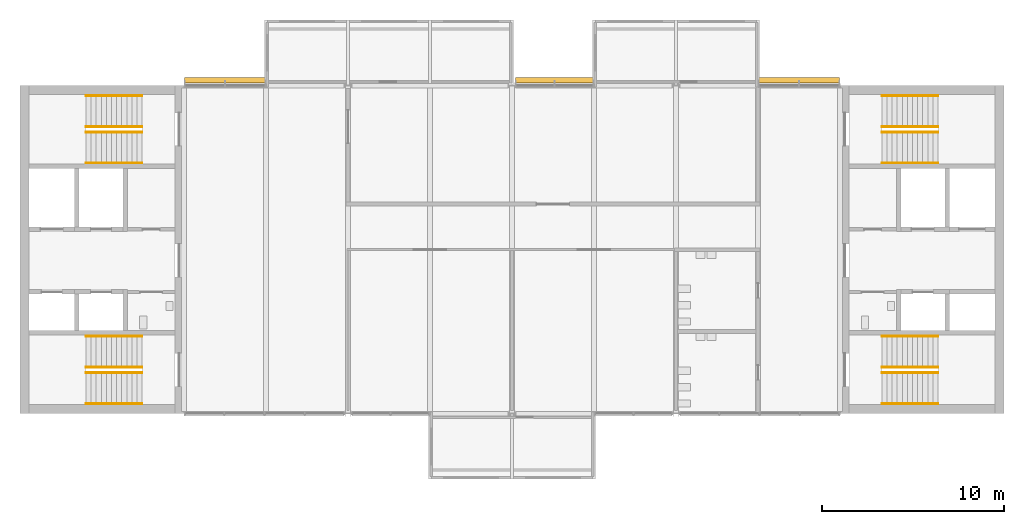
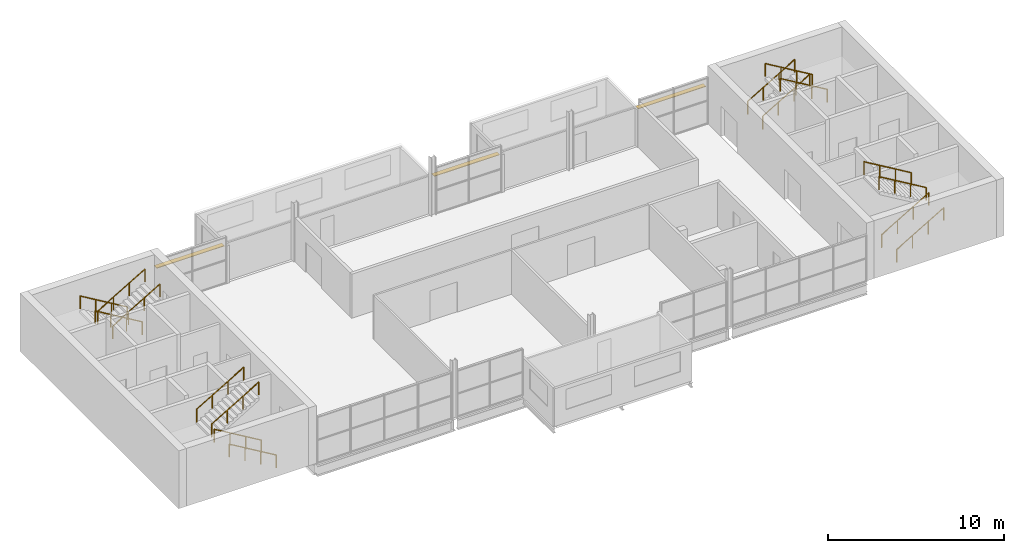
# One storey, part 9 of 10: 16 railings, 3 shading devices.
"""IFC4 building model written with IfcOpenShell, lengths in metres."""

from ifc_helpers import new_model, si_unit, direction, frame, origin, origin_2d, place, context, subcontext, project, spatial, rectangle, circle, extrude, material, layer, layer_set, type_object, element, save


model = new_model("IFC4")

# Units and contexts
model_context = context("Model", 3, precision=1e-05, world=origin(), true_north=direction((0.0, 1.0)))
body_context = subcontext(model_context, "Body", "Model", "MODEL_VIEW")
ifc_project = project(units=[si_unit("LENGTHUNIT", "METRE"), si_unit("AREAUNIT", "SQUARE_METRE"), si_unit("VOLUMEUNIT", "CUBIC_METRE"), si_unit("PLANEANGLEUNIT", "RADIAN"), si_unit("MASSUNIT", "GRAM", prefix="KILO")], contexts=[model_context])

# Site, building, storey
site_placement = place(None, origin())
site = spatial("IfcSite", under=ifc_project, at=site_placement, CompositionType="ELEMENT")
building_placement = place(site_placement, origin())
building = spatial("IfcBuilding", under=site, at=building_placement, Name="Corbel Yard City Hall", CompositionType="ELEMENT")
storey_placement = place(building_placement, frame((0.0, 0.0, 51.199951171875)))
storey = spatial("IfcBuildingStorey", under=building, at=storey_placement, Name="L12", CompositionType="ELEMENT", Elevation=51.199951171875)

# Railings
ifc_material_1 = material(Name="Stainless steel Grade 316", Category="steel")
railing_type = type_object("IfcRailingType", Name="HR1", PredefinedType="HANDRAIL", material=ifc_material_1)
for number, where, name in (
    (1, (6.699951171875, 99.550048828125, 0.166748046875), "Exit stair ST-W1 handrail"),
    (2, (6.699951171875, 101.25, 0.166748046875), "Exit stair ST-W1 handrail"),
):
    element("IfcRailing", number, at=place(storey_placement, frame(where)), inside=storey, type_object=railing_type, Name=name, PredefinedType="HANDRAIL", context=body_context, shape_type="SweptSolid", body=[
        extrude(circle(Radius=0.02392578125, at=origin_2d()), frame((0.0, 0.0, 0.8759765625), z_axis=(-0.859290745958, 0.0, 0.51148745235), x_axis=(0.0, -1.0, 0.0)), (0.0, 0.0, 1.0), 3.584228515625),
        extrude(circle(Radius=0.02099609375, at=origin_2d()), origin(), (0.0, 0.0, 1.0), 0.851806640625),
        extrude(circle(Radius=0.02099609375, at=origin_2d()), frame((-1.026611328125, 0.0, 0.611083984375)), (0.0, 0.0, 1.0), 0.851806640625),
        extrude(circle(Radius=0.02099609375, at=origin_2d()), frame((-2.05322265625, 0.0, 1.22216796875)), (0.0, 0.0, 1.0), 0.851806640625),
        extrude(circle(Radius=0.02099609375, at=origin_2d()), frame((-3.079833984375, 0.0, 1.833251953125)), (0.0, 0.0, 1.0), 0.851806640625),
    ])
for number, where, name in (
    (3, (3.6201171875, 101.550048828125, 2.166748046875), "Exit stair ST-W1 handrail"),
    (4, (3.6201171875, 103.25, 2.166748046875), "Exit stair ST-W1 handrail"),
):
    element("IfcRailing", number, at=place(storey_placement, frame(where)), inside=storey, type_object=railing_type, Name=name, PredefinedType="HANDRAIL", context=body_context, shape_type="SweptSolid", body=[
        extrude(circle(Radius=0.02392578125, at=origin_2d()), frame((0.0, 0.0, 0.8759765625), z_axis=(0.859290745958, 0.0, 0.51148745235), x_axis=(0.0, 1.0, 0.0)), (0.0, 0.0, 1.0), 3.584228515625),
        extrude(circle(Radius=0.02099609375, at=origin_2d()), origin(), (0.0, 0.0, 1.0), 0.851806640625),
        extrude(circle(Radius=0.02099609375, at=origin_2d()), frame((1.026611328125, 0.0, 0.611083984375)), (0.0, 0.0, 1.0), 0.851806640625),
        extrude(circle(Radius=0.02099609375, at=origin_2d()), frame((2.05322265625, 0.0, 1.22216796875)), (0.0, 0.0, 1.0), 0.851806640625),
        extrude(circle(Radius=0.02099609375, at=origin_2d()), frame((3.079833984375, 0.0, 1.833251953125)), (0.0, 0.0, 1.0), 0.851806640625),
    ])
for number, where, name in (
    (5, (6.699951171875, 116.449951171875, 0.166748046875), "Exit stair ST-W2 handrail"),
    (6, (6.699951171875, 114.75, 0.166748046875), "Exit stair ST-W2 handrail"),
):
    element("IfcRailing", number, at=place(storey_placement, frame(where)), inside=storey, type_object=railing_type, Name=name, PredefinedType="HANDRAIL", context=body_context, shape_type="SweptSolid", body=[
        extrude(circle(Radius=0.02392578125, at=origin_2d()), frame((0.0, 0.0, 0.8759765625), z_axis=(-0.859290745958, 0.0, 0.51148745235), x_axis=(0.0, -1.0, 0.0)), (0.0, 0.0, 1.0), 3.584228515625),
        extrude(circle(Radius=0.02099609375, at=origin_2d()), origin(), (0.0, 0.0, 1.0), 0.851806640625),
        extrude(circle(Radius=0.02099609375, at=origin_2d()), frame((-1.026611328125, 0.0, 0.611083984375)), (0.0, 0.0, 1.0), 0.851806640625),
        extrude(circle(Radius=0.02099609375, at=origin_2d()), frame((-2.05322265625, 0.0, 1.22216796875)), (0.0, 0.0, 1.0), 0.851806640625),
        extrude(circle(Radius=0.02099609375, at=origin_2d()), frame((-3.079833984375, 0.0, 1.833251953125)), (0.0, 0.0, 1.0), 0.851806640625),
    ])
for number, where, name in (
    (7, (3.6201171875, 114.449951171875, 2.166748046875), "Exit stair ST-W2 handrail"),
    (8, (3.6201171875, 112.75, 2.166748046875), "Exit stair ST-W2 handrail"),
    (9, (47.300048828125, 99.550048828125, 0.166748046875), "Exit stair ST-E1 handrail"),
    (10, (47.300048828125, 101.25, 0.166748046875), "Exit stair ST-E1 handrail"),
):
    element("IfcRailing", number, at=place(storey_placement, frame(where)), inside=storey, type_object=railing_type, Name=name, PredefinedType="HANDRAIL", context=body_context, shape_type="SweptSolid", body=[
        extrude(circle(Radius=0.02392578125, at=origin_2d()), frame((0.0, 0.0, 0.8759765625), z_axis=(0.859290745958, 0.0, 0.51148745235), x_axis=(0.0, 1.0, 0.0)), (0.0, 0.0, 1.0), 3.584228515625),
        extrude(circle(Radius=0.02099609375, at=origin_2d()), origin(), (0.0, 0.0, 1.0), 0.851806640625),
        extrude(circle(Radius=0.02099609375, at=origin_2d()), frame((1.026611328125, 0.0, 0.611083984375)), (0.0, 0.0, 1.0), 0.851806640625),
        extrude(circle(Radius=0.02099609375, at=origin_2d()), frame((2.05322265625, 0.0, 1.22216796875)), (0.0, 0.0, 1.0), 0.851806640625),
        extrude(circle(Radius=0.02099609375, at=origin_2d()), frame((3.079833984375, 0.0, 1.833251953125)), (0.0, 0.0, 1.0), 0.851806640625),
    ])
for number, where, name in (
    (11, (50.3798828125, 101.550048828125, 2.166748046875), "Exit stair ST-E1 handrail"),
    (12, (50.3798828125, 103.25, 2.166748046875), "Exit stair ST-E1 handrail"),
):
    element("IfcRailing", number, at=place(storey_placement, frame(where)), inside=storey, type_object=railing_type, Name=name, PredefinedType="HANDRAIL", context=body_context, shape_type="SweptSolid", body=[
        extrude(circle(Radius=0.02392578125, at=origin_2d()), frame((0.0, 0.0, 0.8759765625), z_axis=(-0.859290745958, 0.0, 0.51148745235), x_axis=(0.0, -1.0, 0.0)), (0.0, 0.0, 1.0), 3.584228515625),
        extrude(circle(Radius=0.02099609375, at=origin_2d()), origin(), (0.0, 0.0, 1.0), 0.851806640625),
        extrude(circle(Radius=0.02099609375, at=origin_2d()), frame((-1.026611328125, 0.0, 0.611083984375)), (0.0, 0.0, 1.0), 0.851806640625),
        extrude(circle(Radius=0.02099609375, at=origin_2d()), frame((-2.05322265625, 0.0, 1.22216796875)), (0.0, 0.0, 1.0), 0.851806640625),
        extrude(circle(Radius=0.02099609375, at=origin_2d()), frame((-3.079833984375, 0.0, 1.833251953125)), (0.0, 0.0, 1.0), 0.851806640625),
    ])
for number, where, name in (
    (13, (47.300048828125, 116.449951171875, 0.166748046875), "Exit stair ST-E2 handrail"),
    (14, (47.300048828125, 114.75, 0.166748046875), "Exit stair ST-E2 handrail"),
):
    element("IfcRailing", number, at=place(storey_placement, frame(where)), inside=storey, type_object=railing_type, Name=name, PredefinedType="HANDRAIL", context=body_context, shape_type="SweptSolid", body=[
        extrude(circle(Radius=0.02392578125, at=origin_2d()), frame((0.0, 0.0, 0.8759765625), z_axis=(0.859290745958, 0.0, 0.51148745235), x_axis=(0.0, 1.0, 0.0)), (0.0, 0.0, 1.0), 3.584228515625),
        extrude(circle(Radius=0.02099609375, at=origin_2d()), origin(), (0.0, 0.0, 1.0), 0.851806640625),
        extrude(circle(Radius=0.02099609375, at=origin_2d()), frame((1.026611328125, 0.0, 0.611083984375)), (0.0, 0.0, 1.0), 0.851806640625),
        extrude(circle(Radius=0.02099609375, at=origin_2d()), frame((2.05322265625, 0.0, 1.22216796875)), (0.0, 0.0, 1.0), 0.851806640625),
        extrude(circle(Radius=0.02099609375, at=origin_2d()), frame((3.079833984375, 0.0, 1.833251953125)), (0.0, 0.0, 1.0), 0.851806640625),
    ])
for number, where, name in (
    (15, (50.3798828125, 114.449951171875, 2.166748046875), "Exit stair ST-E2 handrail"),
    (16, (50.3798828125, 112.75, 2.166748046875), "Exit stair ST-E2 handrail"),
):
    element("IfcRailing", number, at=place(storey_placement, frame(where)), inside=storey, type_object=railing_type, Name=name, PredefinedType="HANDRAIL", context=body_context, shape_type="SweptSolid", body=[
        extrude(circle(Radius=0.02392578125, at=origin_2d()), frame((0.0, 0.0, 0.8759765625), z_axis=(-0.859290745958, 0.0, 0.51148745235), x_axis=(0.0, -1.0, 0.0)), (0.0, 0.0, 1.0), 3.584228515625),
        extrude(circle(Radius=0.02099609375, at=origin_2d()), origin(), (0.0, 0.0, 1.0), 0.851806640625),
        extrude(circle(Radius=0.02099609375, at=origin_2d()), frame((-1.026611328125, 0.0, 0.611083984375)), (0.0, 0.0, 1.0), 0.851806640625),
        extrude(circle(Radius=0.02099609375, at=origin_2d()), frame((-2.05322265625, 0.0, 1.22216796875)), (0.0, 0.0, 1.0), 0.851806640625),
        extrude(circle(Radius=0.02099609375, at=origin_2d()), frame((-3.079833984375, 0.0, 1.833251953125)), (0.0, 0.0, 1.0), 0.851806640625),
    ])

# Shading devices
ifc_material_2 = material(Name="Anodised aluminium", Category="aluminium")
ifc_layer = layer(ifc_material_2, 0.0400390625)
ifc_layer_set = layer_set([ifc_layer], Name="Anodised aluminium")
shading_device_type = type_object("IfcShadingDeviceType", Name="LV1", PredefinedType="JALOUSIE", material=ifc_layer_set)
shading_device_1_placement = place(storey_placement, frame((11.25, 117.2900390625, 2.45849609375), z_axis=(0.0, 0.0, 1.0), x_axis=(1.0, 0.0, 0.0)))
element("IfcShadingDevice", 17, at=shading_device_1_placement, inside=storey, type_object=shading_device_type, Name="Louvre blade", PredefinedType="JALOUSIE", context=body_context, shape_type="SweptSolid", body=[
    extrude(rectangle(XDim=4.43505859375, YDim=0.300048828125, at=origin_2d()), origin(), (0.0, 0.0, 1.0), 0.0400390625),
])
shading_device_2_placement = place(storey_placement, frame((29.331787109375, 117.2900390625, 2.45849609375), z_axis=(0.0, 0.0, 1.0), x_axis=(1.0, 0.0, 0.0)))
element("IfcShadingDevice", 18, at=shading_device_2_placement, inside=storey, type_object=shading_device_type, Name="Louvre blade", PredefinedType="JALOUSIE", context=body_context, shape_type="SweptSolid", body=[
    extrude(rectangle(XDim=4.271484375, YDim=0.300048828125, at=origin_2d()), origin(), (0.0, 0.0, 1.0), 0.0400390625),
])
shading_device_3_placement = place(storey_placement, frame((42.75, 117.2900390625, 2.45849609375), z_axis=(0.0, 0.0, 1.0), x_axis=(1.0, 0.0, 0.0)))
element("IfcShadingDevice", 19, at=shading_device_3_placement, inside=storey, type_object=shading_device_type, Name="Louvre blade", PredefinedType="JALOUSIE", context=body_context, shape_type="SweptSolid", body=[
    extrude(rectangle(XDim=4.43505859375, YDim=0.300048828125, at=origin_2d()), origin(), (0.0, 0.0, 1.0), 0.0400390625),
])

save(model, "model.ifc")
